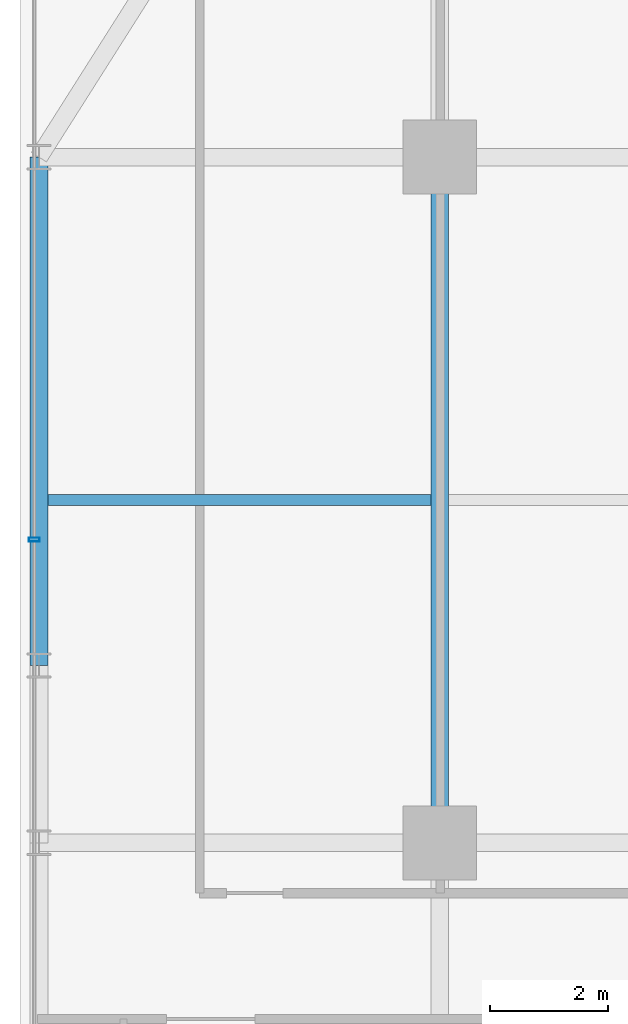
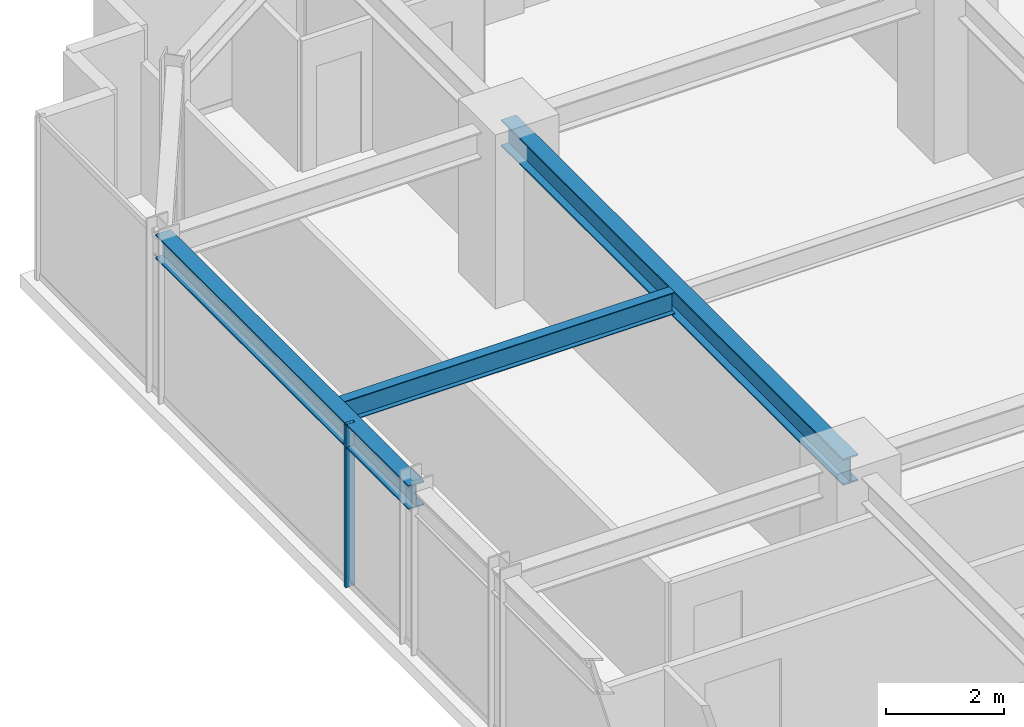
# One storey, part 16 of 34: 3 beams, 1 member, 1 element without a shape of its own.
"""IFC4 building model written with IfcOpenShell, lengths in metres."""

from ifc_helpers import new_model, si_unit, direction, frame, origin, origin_2d, place, context, subcontext, project, spatial, hollow_rectangle, i_section, extrude, source, transform, mapped, material, material_profile, profile_set, type_object, element, aggregate, save


model = new_model("IFC4")

# Units and contexts
model_context = context("Model", 3, precision=1e-05, world=origin(), true_north=direction((0.0, 1.0)))
body_context = subcontext(model_context, "Body", "Model", "MODEL_VIEW")
ifc_project = project(units=[si_unit("LENGTHUNIT", "METRE"), si_unit("AREAUNIT", "SQUARE_METRE"), si_unit("VOLUMEUNIT", "CUBIC_METRE"), si_unit("PLANEANGLEUNIT", "RADIAN"), si_unit("MASSUNIT", "GRAM", prefix="KILO")], contexts=[model_context])

# Site, building, storey
site_placement = place(None, origin())
site = spatial("IfcSite", under=ifc_project, at=site_placement, CompositionType="ELEMENT")
building_placement = place(site_placement, origin())
building = spatial("IfcBuilding", under=site, at=building_placement, Name="Nahalor Promenade Grand Hotel", CompositionType="ELEMENT")
storey_placement = place(building_placement, frame((0.0, 0.0, 128.449951171875)))
storey = spatial("IfcBuildingStorey", under=building, at=storey_placement, Name="L32", CompositionType="ELEMENT", Elevation=128.449951171875)

# Beams
ifc_material_1 = material(Name="Steel S355JR", Category="steel")
ifc_material_profile_1 = material_profile(ifc_material_1, i_section(OverallWidth=0.3, OverallDepth=0.5, WebThickness=0.0145, FlangeThickness=0.028, at=origin_2d()), Name="HEB 500")
ifc_profile_set_1 = profile_set([ifc_material_profile_1], Name="Steel S355JR")
beam_type_1 = type_object("IfcBeamType", Name="Beam-Spandrel-HEB500", PredefinedType="SPANDREL", material=ifc_profile_set_1)
shared_shape_1 = source(origin(), body_context, "Body", "SweptSolid", [
    extrude(i_section(OverallWidth=0.3, OverallDepth=0.5, WebThickness=0.0145, FlangeThickness=0.028, at=origin_2d()), origin(), (0.0, 0.0, 1.0), 8.60009765625),
])
beam_1_placement = place(storey_placement, frame((-23.780029296875, 8.39990234375, 3.130126953125), z_axis=(0.0, 1.0, 0.0), x_axis=(-1.0, 0.0, 0.0)))
element("IfcBeam", 1, at=beam_1_placement, inside=storey, type_object=beam_type_1, Name="BM-L32-SP-W-4", PredefinedType="SPANDREL", context=body_context, shape_type="MappedRepresentation", body=[
    mapped(shared_shape_1, transform((0.0, 0.0, 0.0), scale=1.0)),
])
ifc_material_profile_2 = material_profile(ifc_material_1, i_section(OverallWidth=0.3, OverallDepth=0.55, WebThickness=0.015, FlangeThickness=0.029, at=origin_2d()), Name="HEB 550")
ifc_profile_set_2 = profile_set([ifc_material_profile_2], Name="Steel S355JR")
beam_type_2 = type_object("IfcBeamType", Name="Beam-Girder-HEB550", PredefinedType="BEAM", material=ifc_profile_set_2)
shared_shape_2 = source(origin(), body_context, "Body", "SweptSolid", [
    extrude(i_section(OverallWidth=0.3, OverallDepth=0.55, WebThickness=0.015, FlangeThickness=0.029, at=origin_2d()), origin(), (0.0, 0.0, 1.0), 11.60009765625),
])
beam_2_placement = place(storey_placement, frame((-17.0, 5.39990234375, 3.10498046875), z_axis=(0.0, 1.0, 0.0), x_axis=(-1.0, 0.0, 0.0)))
element("IfcBeam", 2, at=beam_2_placement, inside=storey, type_object=beam_type_2, Name="BM-L32-GY-0-3", PredefinedType="BEAM", context=body_context, shape_type="MappedRepresentation", body=[
    mapped(shared_shape_2, transform((0.0, 0.0, 0.0), scale=1.0)),
])
ifc_material_profile_3 = material_profile(ifc_material_1, i_section(OverallWidth=0.19, OverallDepth=0.45, WebThickness=0.0094, FlangeThickness=0.0146, at=origin_2d()), Name="IPE 450")
ifc_profile_set_3 = profile_set([ifc_material_profile_3], Name="Steel S355JR")
beam_type_3 = type_object("IfcBeamType", Name="Beam-Joist-IPE450", PredefinedType="JOIST", material=ifc_profile_set_3)
shared_shape_3 = source(origin(), body_context, "Body", "SweptSolid", [
    extrude(i_section(OverallWidth=0.19, OverallDepth=0.45, WebThickness=0.0094, FlangeThickness=0.0146, at=origin_2d()), origin(), (0.0, 0.0, 1.0), 6.47998046875),
])
beam_3_placement = place(storey_placement, frame((-23.6298828125, 11.199951171875, 3.155029296875), z_axis=(1.0, 0.0, 0.0), x_axis=(0.0, 1.0, 0.0)))
element("IfcBeam", 3, at=beam_3_placement, inside=storey, type_object=beam_type_3, Name="BM-L32-JSW-1-0", PredefinedType="JOIST", context=body_context, shape_type="MappedRepresentation", body=[
    mapped(shared_shape_3, transform((0.0, 0.0, 0.0), scale=1.0)),
])

# Curtain wall, member
ifc_material_2 = material(Name="Anodised Bronze Aluminium EN AW-6063 T6", Category="aluminium")
curtain_wall_type = type_object("IfcCurtainWallType", Name="CW2 Typical Hotel Flush Bronze Unitised Curtain Wall", PredefinedType="USERDEFINED", material=ifc_material_2)
curtain_wall_placement = place(storey_placement, origin())
curtain_wall = element("IfcCurtainWall", 4, at=curtain_wall_placement, inside=storey, type_object=curtain_wall_type, Name="L32 Curtain Wall CW-L32-W-1", ObjectType="UNITISED_CURTAIN_WALL", PredefinedType="USERDEFINED")
ifc_material_profile_4 = material_profile(ifc_material_2, hollow_rectangle(XDim=0.065, YDim=0.18, WallThickness=0.004, at=origin_2d()), Name="CWM 65x180x4")
ifc_profile_set_4 = profile_set([ifc_material_profile_4], Name="Anodised Bronze Aluminium EN AW-6063 T6")
member_type = type_object("IfcMemberType", Name="CWM2 Typical Bronze Mullion 65x180", PredefinedType="MULLION", material=ifc_profile_set_4)
shared_shape_4 = source(origin(), body_context, "Body", "SweptSolid", [
    extrude(hollow_rectangle(XDim=0.065, YDim=0.18, WallThickness=0.004, at=origin_2d()), origin(), (0.0, 0.0, 1.0), 3.380126953125),
])
member_placement = place(storey_placement, frame((-23.860107421875, 10.530029296875, 0.0), z_axis=(0.0, 0.0, 1.0), x_axis=(0.0, 1.0, 0.0)))
member = element("IfcMember", 5, at=member_placement, type_object=member_type, Name="CW-L32-W-1 Mullion 3", PredefinedType="MULLION", context=body_context, shape_type="MappedRepresentation", body=[
    mapped(shared_shape_4, transform((0.0, 0.0, 0.0), scale=1.0)),
])
aggregate(curtain_wall, [member])

save(model, "model.ifc")
